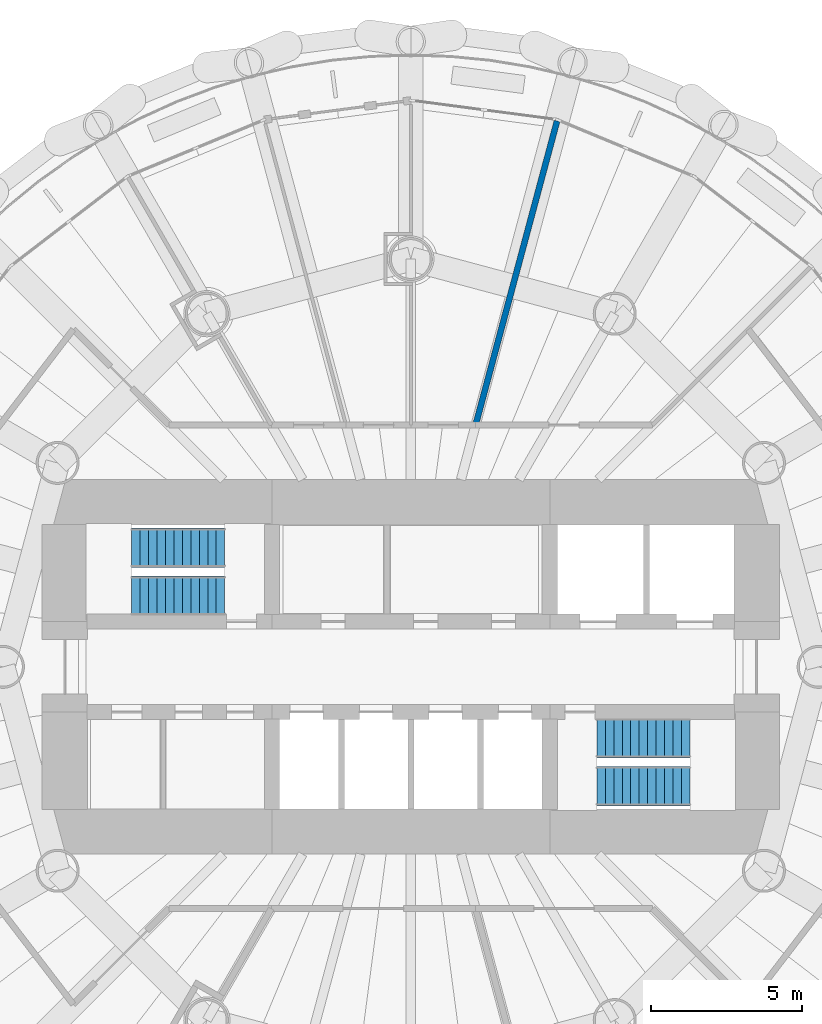
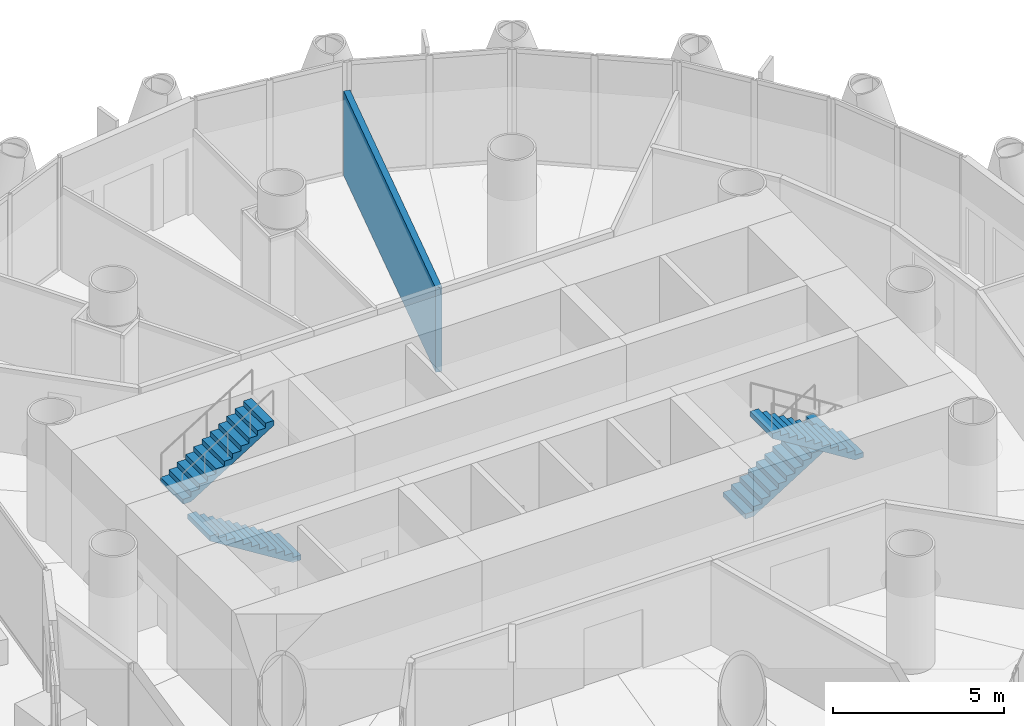
# One storey, part 11 of 15: 4 stair flights, 1 wall, 2 elements without a shape of their own.
"""IFC4 building model written with IfcOpenShell, lengths in metres."""

from ifc_helpers import new_model, si_unit, direction, frame, frame_2d, origin, place, context, subcontext, project, spatial, polyline, rectangle, outline, extrude, material, layer, layer_set, type_object, element, aggregate, save


model = new_model("IFC4")

# Units and contexts
model_context = context("Model", 3, precision=1e-05, world=origin(), true_north=direction((0.0, 1.0)))
body_context = subcontext(model_context, "Body", "Model", "MODEL_VIEW")
ifc_project = project(units=[si_unit("LENGTHUNIT", "METRE"), si_unit("AREAUNIT", "SQUARE_METRE"), si_unit("VOLUMEUNIT", "CUBIC_METRE"), si_unit("PLANEANGLEUNIT", "RADIAN"), si_unit("MASSUNIT", "GRAM", prefix="KILO")], contexts=[model_context])

# Site, building, storey
site_placement = place(None, origin())
site = spatial("IfcSite", under=ifc_project, at=site_placement, CompositionType="ELEMENT")
building_placement = place(site_placement, origin())
building = spatial("IfcBuilding", under=site, at=building_placement, Name="Qaws Media Tower", CompositionType="ELEMENT")
storey_placement = place(building_placement, frame((0.0, 0.0, 273.800048828125)))
storey = spatial("IfcBuildingStorey", under=building, at=storey_placement, Name="L63", CompositionType="ELEMENT", Elevation=273.800048828125)

# Wall
ifc_material_1 = material(Name="Gypsum board on galvanised metal studs, acoustic double stud, deflection head", Category="gypsum")
ifc_layer = layer(ifc_material_1, 0.199951171875)
ifc_layer_set = layer_set([ifc_layer], Name="Room partition 200")
wall_type = type_object("IfcWallType", Name="Room partition 200", PredefinedType="PARTITIONING", material=ifc_layer_set)
wall_placement = place(storey_placement, frame((62.14306640625, 57.997802734375, 0.0), z_axis=(0.0, 0.0, 1.0), x_axis=(0.2588148656, 0.965926946174, 0.0)))
element("IfcWall", 1, at=wall_placement, inside=storey, type_object=wall_type, Name="W1774 IW3 partition L63", PredefinedType="PARTITIONING", context=body_context, shape_type="SweptSolid", body=[
    extrude(rectangle(XDim=10.43017578125, YDim=0.199951171875, at=frame_2d((5.215087890625, 0.0))), origin(), (0.0, 0.0, 1.0), 3.02001953125),
])

# Stair, stair flights
ifc_material_2 = material(Name="Concrete C40/50", Category="concrete")
stair_type = type_object("IfcStairType", Name="Exit stair", PredefinedType="HALF_TURN_STAIR", material=ifc_material_2)
stair_1_placement = place(storey_placement, origin())
stair_1 = element("IfcStair", 2, at=stair_1_placement, inside=storey, type_object=stair_type, Name="S1 exit stair L63", PredefinedType="HALF_TURN_STAIR")
ifc_material_3 = material(Name="Concrete C40/50", Category="concrete")
stair_flight_type = type_object("IfcStairFlightType", Name="Stair flight 1310", PredefinedType="STRAIGHT", material=ifc_material_3)
stair_flight_1_placement = place(storey_placement, frame((53.840087890625, 52.35498046875, 0.0), z_axis=(0.0, 0.0, 1.0), x_axis=(-1.0, 0.0, 0.0)))
stair_flight_1 = element("IfcStairFlight", 3, at=stair_flight_1_placement, type_object=stair_flight_type, Name="S1 flight 1", NumberOfRisers=12, NumberOfTreads=11, PredefinedType="STRAIGHT", RiserHeight=0.175, TreadLength=0.28, context=body_context, shape_type="SweptSolid", body=[
    extrude(outline(polyline([(0.0, 0.0), (0.0, 0.175048828125), (0.280029296875, 0.175048828125), (0.280029296875, 0.35009765625), (0.56005859375, 0.35009765625), (0.56005859375, 0.52490234375), (0.840087890625, 0.52490234375), (0.840087890625, 0.699951171875), (1.1201171875, 0.699951171875), (1.1201171875, 0.875), (1.39990234375, 0.875), (1.39990234375, 1.050048828125), (1.679931640625, 1.050048828125), (1.679931640625, 1.22509765625), (1.9599609375, 1.22509765625), (1.9599609375, 1.39990234375), (2.239990234375, 1.39990234375), (2.239990234375, 1.574951171875), (2.52001953125, 1.574951171875), (2.52001953125, 1.75), (2.800048828125, 1.75), (2.800048828125, 1.925048828125), (3.080078125, 1.925048828125), (3.080078125, 2.10009765625), (3.080078125, 1.748291015625), (0.28271484375, 0.0), (0.0, 0.0)])), frame((0.0, 0.655029296875, 0.0), z_axis=(0.0, -1.0, 0.0), x_axis=(1.0, 0.0, 0.0)), (0.0, 0.0, 1.0), 1.31005859375),
])
stair_flight_2_placement = place(storey_placement, frame((50.760009765625, 53.945068359375, 2.099853515625), z_axis=(0.0, 0.0, 1.0), x_axis=(1.0, 0.0, 0.0)))
stair_flight_2 = element("IfcStairFlight", 4, at=stair_flight_2_placement, type_object=stair_flight_type, Name="S1 flight 2", NumberOfRisers=12, NumberOfTreads=11, PredefinedType="STRAIGHT", RiserHeight=0.175, TreadLength=0.28, context=body_context, shape_type="SweptSolid", body=[
    extrude(outline(polyline([(0.0, 0.0), (0.0, 0.175048828125), (0.280029296875, 0.175048828125), (0.280029296875, 0.35009765625), (0.56005859375, 0.35009765625), (0.56005859375, 0.52490234375), (0.840087890625, 0.52490234375), (0.840087890625, 0.699951171875), (1.1201171875, 0.699951171875), (1.1201171875, 0.875), (1.39990234375, 0.875), (1.39990234375, 1.050048828125), (1.679931640625, 1.050048828125), (1.679931640625, 1.22509765625), (1.9599609375, 1.22509765625), (1.9599609375, 1.39990234375), (2.239990234375, 1.39990234375), (2.239990234375, 1.574951171875), (2.52001953125, 1.574951171875), (2.52001953125, 1.75), (2.800048828125, 1.75), (2.800048828125, 1.925048828125), (3.080078125, 1.925048828125), (3.080078125, 2.10009765625), (3.080078125, 1.748291015625), (0.28271484375, 0.0), (0.0, 0.0)])), frame((0.0, 0.655029296875, 0.0), z_axis=(0.0, -1.0, 0.0), x_axis=(1.0, 0.0, 0.0)), (0.0, 0.0, 1.0), 1.31005859375),
])
aggregate(stair_1, [stair_flight_1, stair_flight_2])

stair_2_placement = place(storey_placement, origin())
stair_2 = element("IfcStair", 5, at=stair_2_placement, inside=storey, type_object=stair_type, Name="S2 exit stair L63", PredefinedType="HALF_TURN_STAIR")
stair_flight_3_placement = place(storey_placement, frame((66.159912109375, 47.64501953125, 0.0), z_axis=(0.0, 0.0, 1.0), x_axis=(1.0, 0.0, 0.0)))
stair_flight_3 = element("IfcStairFlight", 6, at=stair_flight_3_placement, type_object=stair_flight_type, Name="S2 flight 1", NumberOfRisers=12, NumberOfTreads=11, PredefinedType="STRAIGHT", RiserHeight=0.175, TreadLength=0.28, context=body_context, shape_type="SweptSolid", body=[
    extrude(outline(polyline([(0.0, 0.0), (0.0, 0.175048828125), (0.280029296875, 0.175048828125), (0.280029296875, 0.35009765625), (0.56005859375, 0.35009765625), (0.56005859375, 0.52490234375), (0.840087890625, 0.52490234375), (0.840087890625, 0.699951171875), (1.1201171875, 0.699951171875), (1.1201171875, 0.875), (1.39990234375, 0.875), (1.39990234375, 1.050048828125), (1.679931640625, 1.050048828125), (1.679931640625, 1.22509765625), (1.9599609375, 1.22509765625), (1.9599609375, 1.39990234375), (2.239990234375, 1.39990234375), (2.239990234375, 1.574951171875), (2.52001953125, 1.574951171875), (2.52001953125, 1.75), (2.800048828125, 1.75), (2.800048828125, 1.925048828125), (3.080078125, 1.925048828125), (3.080078125, 2.10009765625), (3.080078125, 1.748291015625), (0.28271484375, 0.0), (0.0, 0.0)])), frame((0.0, 0.655029296875, 0.0), z_axis=(0.0, -1.0, 0.0), x_axis=(1.0, 0.0, 0.0)), (0.0, 0.0, 1.0), 1.31005859375),
])
stair_flight_4_placement = place(storey_placement, frame((69.239990234375, 46.054931640625, 2.099853515625), z_axis=(0.0, 0.0, 1.0), x_axis=(-1.0, 0.0, 0.0)))
stair_flight_4 = element("IfcStairFlight", 7, at=stair_flight_4_placement, type_object=stair_flight_type, Name="S2 flight 2", NumberOfRisers=12, NumberOfTreads=11, PredefinedType="STRAIGHT", RiserHeight=0.175, TreadLength=0.28, context=body_context, shape_type="SweptSolid", body=[
    extrude(outline(polyline([(0.0, 0.0), (0.0, 0.175048828125), (0.280029296875, 0.175048828125), (0.280029296875, 0.35009765625), (0.56005859375, 0.35009765625), (0.56005859375, 0.52490234375), (0.840087890625, 0.52490234375), (0.840087890625, 0.699951171875), (1.1201171875, 0.699951171875), (1.1201171875, 0.875), (1.39990234375, 0.875), (1.39990234375, 1.050048828125), (1.679931640625, 1.050048828125), (1.679931640625, 1.22509765625), (1.9599609375, 1.22509765625), (1.9599609375, 1.39990234375), (2.239990234375, 1.39990234375), (2.239990234375, 1.574951171875), (2.52001953125, 1.574951171875), (2.52001953125, 1.75), (2.800048828125, 1.75), (2.800048828125, 1.925048828125), (3.080078125, 1.925048828125), (3.080078125, 2.10009765625), (3.080078125, 1.748291015625), (0.28271484375, 0.0), (0.0, 0.0)])), frame((0.0, 0.655029296875, 0.0), z_axis=(0.0, -1.0, 0.0), x_axis=(1.0, 0.0, 0.0)), (0.0, 0.0, 1.0), 1.31005859375),
])
aggregate(stair_2, [stair_flight_3, stair_flight_4])

save(model, "model.ifc")
